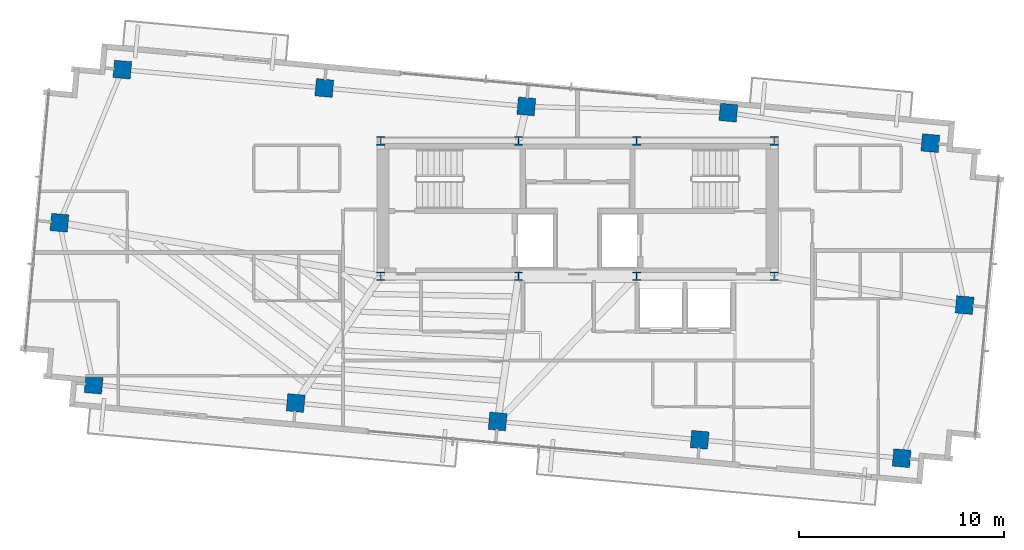
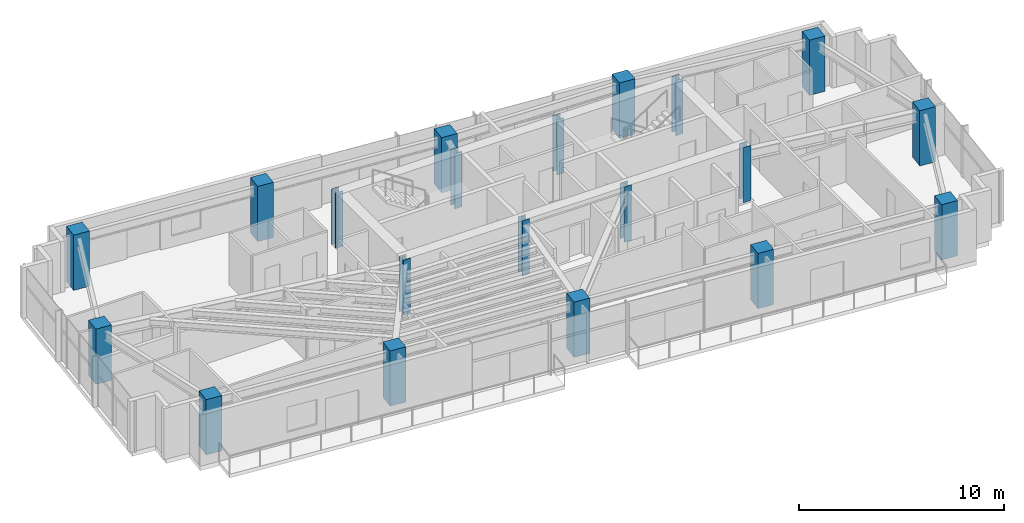
# One storey, part 1 of 22: 20 columns.
"""IFC4 building model written with IfcOpenShell, lengths in metres."""

from ifc_helpers import new_model, si_unit, direction, frame, origin, origin_2d, place, context, subcontext, project, spatial, rectangle, i_section, extrude, source, transform, mapped, material, material_profile, profile_set, type_object, type_shapes, element, save


model = new_model("IFC4")

# Units and contexts
model_context = context("Model", 3, precision=1e-05, world=origin(), true_north=direction((0.0, 1.0)))
body_context = subcontext(model_context, "Body", "Model", "MODEL_VIEW")
ifc_project = project(units=[si_unit("LENGTHUNIT", "METRE"), si_unit("AREAUNIT", "SQUARE_METRE"), si_unit("VOLUMEUNIT", "CUBIC_METRE"), si_unit("PLANEANGLEUNIT", "RADIAN"), si_unit("MASSUNIT", "GRAM", prefix="KILO")], contexts=[model_context])

# Site, building, storey
site_placement = place(None, origin())
site = spatial("IfcSite", under=ifc_project, at=site_placement, CompositionType="ELEMENT")
building_placement = place(site_placement, origin())
building = spatial("IfcBuilding", under=site, at=building_placement, Name="Astriad Promenade Condominiums", CompositionType="ELEMENT")
storey_placement = place(building_placement, frame((0.0, 0.0, 249.60009765625)))
storey = spatial("IfcBuildingStorey", under=building, at=storey_placement, Name="L72", CompositionType="ELEMENT", Elevation=249.60009765625)

# Columns
ifc_material_1 = material(Name="Steel ASTM A992 Grade 50", Category="steel")
ifc_material_profile_1 = material_profile(ifc_material_1, i_section(OverallWidth=0.4091796875, OverallDepth=0.42529296875, WebThickness=0.03271484375, FlangeThickness=0.052490234375, FilletRadius=0.017822265625, at=origin_2d()), Name="W14X283")
ifc_profile_set_1 = profile_set([ifc_material_profile_1], Name="Steel ASTM A992 Grade 50")
column_type_1 = type_object("IfcColumnType", Name="STEEL CORE PILASTER W14X283", PredefinedType="PILASTER", material=ifc_profile_set_1)
shared_shape_1 = source(origin(), body_context, "Body", "SweptSolid", [
    extrude(i_section(OverallWidth=0.4091796875, OverallDepth=0.42529296875, WebThickness=0.03271484375, FlangeThickness=0.052490234375, FilletRadius=0.017822265625, at=origin_2d()), origin(), (0.0, 0.0, 1.0), 3.2958984375),
])
type_shapes(column_type_1, [shared_shape_1])
for number, where, z_axis, x_axis, name in (
    (1, (26.39990234375, 17.39990234375, 0.001953125), (0.0, 0.0, 1.0), (1.0, 0.0, 0.0), "Core Pilaster Column CP1 (L72)"),
    (2, (33.1201171875, 17.39990234375, 0.001953125), (0.0, 0.0, 1.0), (1.0, 0.0, 0.0), "Core Pilaster Column CP2 (L72)"),
    (3, (38.8798828125, 17.39990234375, 0.001953125), (0.0, 0.0, 1.0), (1.0, 0.0, 0.0), "Core Pilaster Column CP3 (L72)"),
    (4, (45.60009765625, 17.39990234375, 0.001953125), (0.0, 0.0, 1.0), (1.0, 0.0, 0.0), "Core Pilaster Column CP4 (L72)"),
    (5, (26.39990234375, 24.0, 0.001953125), (0.0, 0.0, 1.0), (1.0, 0.0, 0.0), "Core Pilaster Column CP5 (L72)"),
    (6, (33.1201171875, 24.0, 0.001953125), (0.0, 0.0, 1.0), (1.0, 0.0, 0.0), "Core Pilaster Column CP6 (L72)"),
    (7, (38.8798828125, 24.0, 0.001953125), (0.0, 0.0, 1.0), (1.0, 0.0, 0.0), "Core Pilaster Column CP7 (L72)"),
    (8, (45.60009765625, 24.0, 0.001953125), (0.0, 0.0, 1.0), (1.0, 0.0, 0.0), "Core Pilaster Column CP8 (L72)"),
):
    element("IfcColumn", number, at=place(storey_placement, frame(where, z_axis=z_axis, x_axis=x_axis)), inside=storey, type_object=column_type_1, Name=name, PredefinedType="PILASTER", context=body_context, shape_type="MappedRepresentation", body=[
        mapped(shared_shape_1, transform((0.0, 0.0, 0.0), scale=1.0)),
    ])
ifc_material_2 = material(Name="Concrete C50/60", Category="concrete")
ifc_material_profile_2 = material_profile(ifc_material_2, rectangle(XDim=0.85009765625, YDim=0.85009765625, at=origin_2d()), Name="RC-COL-850X850")
ifc_profile_set_2 = profile_set([ifc_material_profile_2], Name="Concrete C50/60")
column_type_2 = type_object("IfcColumnType", Name="CONCRETE TOWER COLUMN 850X850", PredefinedType="COLUMN", material=ifc_profile_set_2)
shared_shape_2 = source(origin(), body_context, "Body", "SweptSolid", [
    extrude(rectangle(XDim=0.85009765625, YDim=0.85009765625, at=origin_2d()), origin(), (0.0, 0.0, 1.0), 3.2958984375),
])
type_shapes(column_type_2, [shared_shape_2])
for number, where, z_axis, x_axis, name in (
    (9, (12.3818359375, 12.106201171875, 0.001953125), (0.0, 0.0, 1.0), (0.995884398616, -0.090632580198, 0.0), "Perimeter Column PC01 (L72)"),
    (10, (22.2412109375, 11.208984375, 0.001953125), (0.0, 0.0, 1.0), (0.995884398616, -0.090632580198, 0.0), "Perimeter Column PC02 (L72)"),
    (11, (32.100341796875, 10.311767578125, 0.001953125), (0.0, 0.0, 1.0), (0.995884398616, -0.090632580198, 0.0), "Perimeter Column PC03 (L72)"),
    (12, (41.959716796875, 9.41455078125, 0.001953125), (0.0, 0.0, 1.0), (0.995884398616, -0.090632580198, 0.0), "Perimeter Column PC04 (L72)"),
    (13, (51.81884765625, 8.51708984375, 0.001953125), (0.0, 0.0, 1.0), (0.995884398616, -0.090632580198, 0.0), "Perimeter Column PC05 (L72)"),
    (14, (13.78125, 27.48291015625, 0.001953125), (0.0, 0.0, 1.0), (0.995884398616, -0.090632580198, 0.0), "Perimeter Column PC06 (L72)"),
    (15, (23.640380859375, 26.58544921875, 0.001953125), (0.0, 0.0, 1.0), (0.995884398616, -0.090632580198, 0.0), "Perimeter Column PC07 (L72)"),
    (16, (33.499755859375, 25.688232421875, 0.001953125), (0.0, 0.0, 1.0), (0.995884398616, -0.090632580198, 0.0), "Perimeter Column PC08 (L72)"),
    (17, (43.35888671875, 25.3798828125, 0.001953125), (0.0, 0.0, 1.0), (0.995884398616, -0.090632580198, 0.0), "Perimeter Column PC09 (L72)"),
    (18, (53.21826171875, 23.893798828125, 0.001953125), (0.0, 0.0, 1.0), (0.995884398616, -0.090632580198, 0.0), "Perimeter Column PC10 (L72)"),
    (19, (10.711181640625, 20.01025390625, 0.001953125), (0.0, 0.0, 1.0), (0.995884398616, -0.090632580198, 0.0), "Perimeter Column PC11 (L72)"),
    (20, (54.888671875, 15.98974609375, 0.001953125), (0.0, 0.0, 1.0), (0.995884398616, -0.090632580198, 0.0), "Perimeter Column PC12 (L72)"),
):
    element("IfcColumn", number, at=place(storey_placement, frame(where, z_axis=z_axis, x_axis=x_axis)), inside=storey, type_object=column_type_2, Name=name, PredefinedType="COLUMN", context=body_context, shape_type="MappedRepresentation", body=[
        mapped(shared_shape_2, transform((0.0, 0.0, 0.0), scale=1.0)),
    ])

save(model, "model.ifc")
